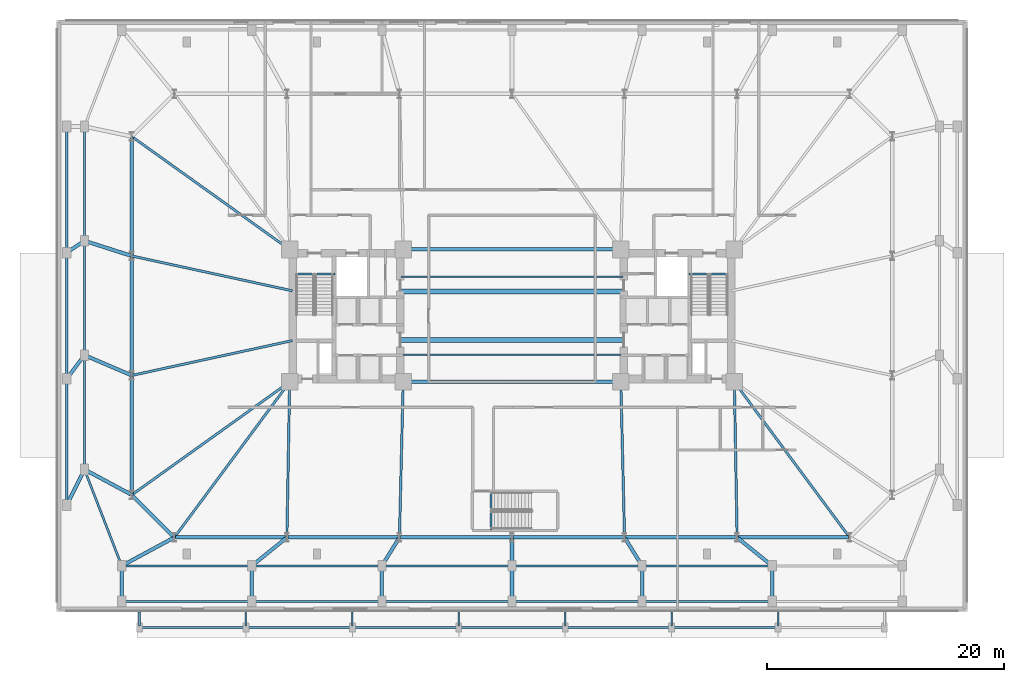
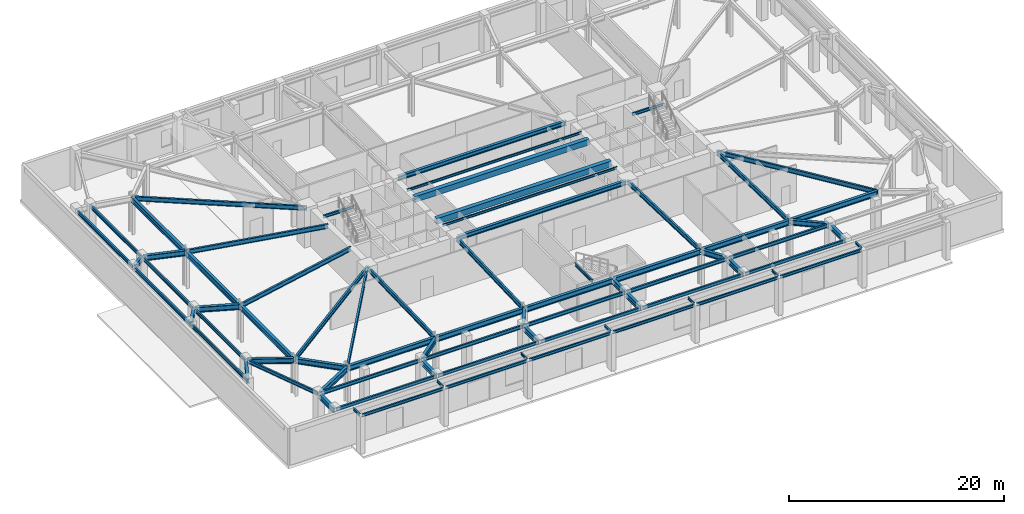
# One storey, part 5 of 18: 77 beams.
"""IFC4 building model written with IfcOpenShell, lengths in metres."""

from ifc_helpers import new_model, si_unit, direction, frame, origin, origin_2d, place, context, subcontext, project, spatial, rectangle, i_section, extrude, material, material_profile, profile_set, type_object, element, save


model = new_model("IFC4")

# Units and contexts
model_context = context("Model", 3, precision=1e-05, world=origin(), true_north=direction((0.0, 1.0)))
body_context = subcontext(model_context, "Body", "Model", "MODEL_VIEW")
ifc_project = project(units=[si_unit("LENGTHUNIT", "METRE"), si_unit("AREAUNIT", "SQUARE_METRE"), si_unit("VOLUMEUNIT", "CUBIC_METRE"), si_unit("PLANEANGLEUNIT", "RADIAN"), si_unit("MASSUNIT", "GRAM", prefix="KILO")], contexts=[model_context])

# Site, building, storey
site_placement = place(None, origin())
site = spatial("IfcSite", under=ifc_project, at=site_placement, CompositionType="ELEMENT")
building_placement = place(site_placement, origin())
building = spatial("IfcBuilding", under=site, at=building_placement, Name="Qobustan Lattice House", CompositionType="ELEMENT")
storey_placement = place(building_placement, origin())
storey = spatial("IfcBuildingStorey", under=building, at=storey_placement, Name="L00", CompositionType="ELEMENT", Elevation=0.0)

# Beams
ifc_material_1 = material(Name="Steel S355", Category="steel")
ifc_material_profile_1 = material_profile(ifc_material_1, i_section(OverallWidth=0.300048828125, OverallDepth=0.5, WebThickness=0.014404296875, FlangeThickness=0.028076171875, FilletRadius=0.027099609375, at=origin_2d()), Name="HEB500")
ifc_profile_set_1 = profile_set([ifc_material_profile_1], Name="Steel S355")
beam_type_1 = type_object("IfcBeamType", Name="BM-CG-HEB500", PredefinedType="USERDEFINED", material=ifc_profile_set_1)
for number, where, z_axis, x_axis, name in (
    (1, (-9.050048828125, -5.60009765625, 3.919921875), (1.0, 0.0, 0.0), (0.0, 1.0, 0.0), "L00 core spine girder CG-CS"),
    (2, (-9.050048828125, 5.60009765625, 3.919921875), (1.0, 0.0, 0.0), (0.0, 1.0, 0.0), "L00 core spine girder CG-CN"),
):
    element("IfcBeam", number, at=place(storey_placement, frame(where, z_axis=z_axis, x_axis=x_axis)), inside=storey, type_object=beam_type_1, Name=name, ObjectType="GIRDER", PredefinedType="USERDEFINED", context=body_context, shape_type="SweptSolid", body=[
        extrude(i_section(OverallWidth=0.300048828125, OverallDepth=0.5, WebThickness=0.014404296875, FlangeThickness=0.028076171875, FilletRadius=0.027099609375, at=origin_2d()), origin(), (0.0, 0.0, 1.0), 18.10009765625),
    ])
ifc_material_2 = material(Name="Steel S355", Category="steel")
ifc_material_profile_2 = material_profile(ifc_material_2, i_section(OverallWidth=0.199951171875, OverallDepth=0.5, WebThickness=0.01025390625, FlangeThickness=0.01611328125, FilletRadius=0.02099609375, at=origin_2d()), Name="IPE500")
ifc_profile_set_2 = profile_set([ifc_material_profile_2], Name="Steel S355")
beam_type_2 = type_object("IfcBeamType", Name="BM-FLG-IPE500", PredefinedType="USERDEFINED", material=ifc_profile_set_2)
beam_1_placement = place(storey_placement, frame((-28.53515625, -18.72998046875, 3.919921875), z_axis=(0.5955916815, 0.803287338956, 0.0), x_axis=(-0.803287338956, 0.5955916815, 0.0)))
element("IfcBeam", 3, at=beam_1_placement, inside=storey, type_object=beam_type_2, Name="L00 primary floor girder RAD-S1W", ObjectType="GIRDER", PredefinedType="USERDEFINED", context=body_context, shape_type="SweptSolid", body=[
    extrude(i_section(OverallWidth=0.199951171875, OverallDepth=0.5, WebThickness=0.01025390625, FlangeThickness=0.01611328125, FilletRadius=0.02099609375, at=origin_2d()), origin(), (0.0, 0.0, 1.0), 16.3203125),
])
beam_2_placement = place(storey_placement, frame((-19.032958984375, -18.72509765625, 3.919921875), z_axis=(0.017757831607, 0.999842317276, 0.0), x_axis=(-0.999842317276, 0.017757831607, 0.0)))
element("IfcBeam", 4, at=beam_2_placement, inside=storey, type_object=beam_type_2, Name="L00 primary floor girder RAD-S2", ObjectType="GIRDER", PredefinedType="USERDEFINED", context=body_context, shape_type="SweptSolid", body=[
    extrude(i_section(OverallWidth=0.199951171875, OverallDepth=0.5, WebThickness=0.01025390625, FlangeThickness=0.01611328125, FilletRadius=0.02099609375, at=origin_2d()), origin(), (0.0, 0.0, 1.0), 13.10205078125),
])
for number, where, z_axis, x_axis, name in (
    (5, (-9.51611328125, -18.72509765625, 3.919921875), (0.024071445657, 0.999710240772, 0.0), (-0.999710240772, 0.024071445657, 0.0), "L00 primary floor girder RAD-S3"),
    (6, (9.51611328125, -18.72509765625, 3.919921875), (-0.024071445657, 0.999710240772, 0.0), (-0.999710240772, -0.024071445657, 0.0), "L00 primary floor girder RAD-S5"),
):
    element("IfcBeam", number, at=place(storey_placement, frame(where, z_axis=z_axis, x_axis=x_axis)), inside=storey, type_object=beam_type_2, Name=name, ObjectType="GIRDER", PredefinedType="USERDEFINED", context=body_context, shape_type="SweptSolid", body=[
        extrude(i_section(OverallWidth=0.199951171875, OverallDepth=0.5, WebThickness=0.01025390625, FlangeThickness=0.01611328125, FilletRadius=0.02099609375, at=origin_2d()), origin(), (0.0, 0.0, 1.0), 13.10400390625),
    ])
beam_3_placement = place(storey_placement, frame((19.032958984375, -18.72509765625, 3.919921875), z_axis=(-0.017757831607, 0.999842317276, 0.0), x_axis=(-0.999842317276, -0.017757831607, 0.0)))
element("IfcBeam", 7, at=beam_3_placement, inside=storey, type_object=beam_type_2, Name="L00 primary floor girder RAD-S6", ObjectType="GIRDER", PredefinedType="USERDEFINED", context=body_context, shape_type="SweptSolid", body=[
    extrude(i_section(OverallWidth=0.199951171875, OverallDepth=0.5, WebThickness=0.01025390625, FlangeThickness=0.01611328125, FilletRadius=0.02099609375, at=origin_2d()), origin(), (0.0, 0.0, 1.0), 13.10205078125),
])
beam_4_placement = place(storey_placement, frame((28.53515625, -18.72998046875, 3.919921875), z_axis=(-0.5955916815, 0.803287338956, 0.0), x_axis=(-0.803287338956, -0.5955916815, 0.0)))
element("IfcBeam", 8, at=beam_4_placement, inside=storey, type_object=beam_type_2, Name="L00 primary floor girder RAD-S7E", ObjectType="GIRDER", PredefinedType="USERDEFINED", context=body_context, shape_type="SweptSolid", body=[
    extrude(i_section(OverallWidth=0.199951171875, OverallDepth=0.5, WebThickness=0.01025390625, FlangeThickness=0.01611328125, FilletRadius=0.02099609375, at=origin_2d()), origin(), (0.0, 0.0, 1.0), 16.3203125),
])
beam_5_placement = place(storey_placement, frame((-32.129638671875, 15.135498046875, 3.919921875), z_axis=(0.813318954893, -0.581818079481, 0.0), x_axis=(0.581818079481, 0.813318954893, 0.0)))
element("IfcBeam", 9, at=beam_5_placement, inside=storey, type_object=beam_type_2, Name="L00 primary floor girder RAD-W1", ObjectType="GIRDER", PredefinedType="USERDEFINED", context=body_context, shape_type="SweptSolid", body=[
    extrude(i_section(OverallWidth=0.199951171875, OverallDepth=0.5, WebThickness=0.01025390625, FlangeThickness=0.01611328125, FilletRadius=0.02099609375, at=origin_2d()), origin(), (0.0, 0.0, 1.0), 16.3642578125),
])
for number, where, z_axis, x_axis, name in (
    (10, (-32.12548828125, 5.044677734375, 3.919921875), (0.97727240275, -0.211987383643, 0.0), (0.211987383643, 0.97727240275, 0.0), "L00 primary floor girder RAD-W2"),
    (11, (-32.12548828125, -5.044677734375, 3.919921875), (0.97727240275, 0.211987383643, 0.0), (-0.211987383643, 0.97727240275, 0.0), "L00 primary floor girder RAD-W3"),
):
    element("IfcBeam", number, at=place(storey_placement, frame(where, z_axis=z_axis, x_axis=x_axis)), inside=storey, type_object=beam_type_2, Name=name, ObjectType="GIRDER", PredefinedType="USERDEFINED", context=body_context, shape_type="SweptSolid", body=[
        extrude(i_section(OverallWidth=0.199951171875, OverallDepth=0.5, WebThickness=0.01025390625, FlangeThickness=0.01611328125, FilletRadius=0.02099609375, at=origin_2d()), origin(), (0.0, 0.0, 1.0), 13.8662109375),
    ])
beam_6_placement = place(storey_placement, frame((-32.129638671875, -15.135498046875, 3.919921875), z_axis=(0.813318954893, 0.581818079481, 0.0), x_axis=(-0.581818079481, 0.813318954893, 0.0)))
element("IfcBeam", 12, at=beam_6_placement, inside=storey, type_object=beam_type_2, Name="L00 primary floor girder RAD-W4", ObjectType="GIRDER", PredefinedType="USERDEFINED", context=body_context, shape_type="SweptSolid", body=[
    extrude(i_section(OverallWidth=0.199951171875, OverallDepth=0.5, WebThickness=0.01025390625, FlangeThickness=0.01611328125, FilletRadius=0.02099609375, at=origin_2d()), origin(), (0.0, 0.0, 1.0), 16.3642578125),
])
ifc_material_3 = material(Name="Steel S355", Category="steel")
ifc_material_profile_3 = material_profile(ifc_material_3, i_section(OverallWidth=0.135009765625, OverallDepth=0.27001953125, WebThickness=0.006591796875, FlangeThickness=0.01025390625, FilletRadius=0.014892578125, at=origin_2d()), Name="IPE270")
ifc_profile_set_3 = profile_set([ifc_material_profile_3], Name="Steel S355")
beam_type_3 = type_object("IfcBeamType", Name="BM-JST-IPE270", PredefinedType="JOIST", material=ifc_profile_set_3)
for number, where, z_axis, x_axis, name in (
    (13, (-9.39990234375, -3.300048828125, 4.034912109375), (1.0, 0.0, 0.0), (0.0, 1.0, 0.0), "L00 central span floor joist 1"),
    (14, (-9.39990234375, 3.300048828125, 4.034912109375), (1.0, 0.0, 0.0), (0.0, 1.0, 0.0), "L00 central span floor joist 2"),
):
    element("IfcBeam", number, at=place(storey_placement, frame(where, z_axis=z_axis, x_axis=x_axis)), inside=storey, type_object=beam_type_3, Name=name, PredefinedType="JOIST", context=body_context, shape_type="SweptSolid", body=[
        extrude(i_section(OverallWidth=0.135009765625, OverallDepth=0.27001953125, WebThickness=0.006591796875, FlangeThickness=0.01025390625, FilletRadius=0.014892578125, at=origin_2d()), origin(), (0.0, 0.0, 1.0), 18.7998046875),
    ])
for number, where, z_axis, x_axis, name in (
    (15, (-31.5, -26.25, 4.125), (0.0, 1.0, 0.0), (-1.0, 0.0, 0.0), "L00 colonnade transverse beam 1"),
    (16, (-22.5, -26.25, 4.125), (0.0, 1.0, 0.0), (-1.0, 0.0, 0.0), "L00 colonnade transverse beam 2"),
    (17, (-13.5, -26.25, 4.125), (0.0, 1.0, 0.0), (-1.0, 0.0, 0.0), "L00 colonnade transverse beam 3"),
    (18, (-4.5, -26.25, 4.125), (0.0, 1.0, 0.0), (-1.0, 0.0, 0.0), "L00 colonnade transverse beam 4"),
    (19, (4.5, -26.25, 4.125), (0.0, 1.0, 0.0), (-1.0, 0.0, 0.0), "L00 colonnade transverse beam 5"),
    (20, (13.5, -26.25, 4.125), (0.0, 1.0, 0.0), (-1.0, 0.0, 0.0), "L00 colonnade transverse beam 6"),
    (21, (22.5, -26.25, 4.125), (0.0, 1.0, 0.0), (-1.0, 0.0, 0.0), "L00 colonnade transverse beam 7"),
):
    element("IfcBeam", number, at=place(storey_placement, frame(where, z_axis=z_axis, x_axis=x_axis)), inside=storey, type_object=beam_type_3, Name=name, PredefinedType="JOIST", context=body_context, shape_type="SweptSolid", body=[
        extrude(i_section(OverallWidth=0.135009765625, OverallDepth=0.27001953125, WebThickness=0.006591796875, FlangeThickness=0.01025390625, FilletRadius=0.014892578125, at=origin_2d()), origin(), (0.0, 0.0, 1.0), 1.2099609375),
    ])
ifc_material_4 = material(Name="Concrete C50/60", Category="concrete")
ifc_material_profile_4 = material_profile(ifc_material_4, rectangle(XDim=0.449951171875, YDim=0.64990234375, at=origin_2d()), Name="RC450x650")
ifc_profile_set_4 = profile_set([ifc_material_profile_4], Name="Concrete C50/60")
beam_type_4 = type_object("IfcBeamType", Name="BM-LINTEL-450x650", PredefinedType="LINTEL", material=ifc_profile_set_4)
for number, where, z_axis, x_axis, name in (
    (22, (-9.39990234375, -2.050048828125, 3.844970703125), (1.0, 0.0, 0.0), (0.0, 1.0, 0.0), "L00 reinforced concrete portal lintel LN-W1"),
    (23, (-9.39990234375, 2.050048828125, 3.844970703125), (1.0, 0.0, 0.0), (0.0, 1.0, 0.0), "L00 reinforced concrete portal lintel LN-E1"),
):
    element("IfcBeam", number, at=place(storey_placement, frame(where, z_axis=z_axis, x_axis=x_axis)), inside=storey, type_object=beam_type_4, Name=name, PredefinedType="LINTEL", context=body_context, shape_type="SweptSolid", body=[
        extrude(rectangle(XDim=0.449951171875, YDim=0.64990234375, at=origin_2d()), origin(), (0.0, 0.0, 1.0), 18.7998046875),
    ])
ifc_material_5 = material(Name="Steel S355", Category="steel")
ifc_material_profile_5 = material_profile(ifc_material_5, i_section(OverallWidth=0.300048828125, OverallDepth=0.60009765625, WebThickness=0.015380859375, FlangeThickness=0.030029296875, FilletRadius=0.027099609375, at=origin_2d()), Name="HEB600")
ifc_profile_set_5 = profile_set([ifc_material_profile_5], Name="Steel S355")
beam_type_5 = type_object("IfcBeamType", Name="BM-POD-HEB600", PredefinedType="USERDEFINED", material=ifc_profile_set_5)
for number, where, z_axis, x_axis, name in (
    (24, (-33.0, -24.030029296875, 3.8701171875), (0.0, 1.0, 0.0), (-1.0, 0.0, 0.0), "L00 south terrace tie girder 1"),
    (25, (-22.0, -24.030029296875, 3.8701171875), (0.0, 1.0, 0.0), (-1.0, 0.0, 0.0), "L00 south terrace tie girder 2"),
    (26, (-11.0, -24.030029296875, 3.8701171875), (0.0, 1.0, 0.0), (-1.0, 0.0, 0.0), "L00 south terrace tie girder 3"),
    (27, (0.0, -24.030029296875, 3.8701171875), (0.0, 1.0, 0.0), (-1.0, 0.0, 0.0), "L00 south terrace tie girder 4"),
    (28, (11.0, -24.030029296875, 3.8701171875), (0.0, 1.0, 0.0), (-1.0, 0.0, 0.0), "L00 south terrace tie girder 5"),
    (29, (22.0, -24.030029296875, 3.8701171875), (0.0, 1.0, 0.0), (-1.0, 0.0, 0.0), "L00 south terrace tie girder 6"),
):
    element("IfcBeam", number, at=place(storey_placement, frame(where, z_axis=z_axis, x_axis=x_axis)), inside=storey, type_object=beam_type_5, Name=name, ObjectType="GIRDER", PredefinedType="USERDEFINED", context=body_context, shape_type="SweptSolid", body=[
        extrude(i_section(OverallWidth=0.300048828125, OverallDepth=0.60009765625, WebThickness=0.015380859375, FlangeThickness=0.030029296875, FilletRadius=0.027099609375, at=origin_2d()), origin(), (0.0, 0.0, 1.0), 2.760009765625),
    ])
beam_7_placement = place(storey_placement, frame((-37.59619140625, -15.892578125, 3.8701171875), z_axis=(0.4472135955, 0.894427191, 0.0), x_axis=(-0.894427191, 0.4472135955, 0.0)))
element("IfcBeam", 30, at=beam_7_placement, inside=storey, type_object=beam_type_5, Name="L00 setback tie girder PWL1", ObjectType="GIRDER", PredefinedType="USERDEFINED", context=body_context, shape_type="SweptSolid", body=[
    extrude(i_section(OverallWidth=0.300048828125, OverallDepth=0.60009765625, WebThickness=0.015380859375, FlangeThickness=0.030029296875, FilletRadius=0.027099609375, at=origin_2d()), origin(), (0.0, 0.0, 1.0), 3.114013671875),
])
beam_8_placement = place(storey_placement, frame((-37.577880859375, -5.2373046875, 3.8701171875), z_axis=(0.599965431752, 0.800025925019, 0.0), x_axis=(-0.800025925019, 0.599965431752, 0.0)))
element("IfcBeam", 31, at=beam_8_placement, inside=storey, type_object=beam_type_5, Name="L00 setback tie girder PWL2", ObjectType="GIRDER", PredefinedType="USERDEFINED", context=body_context, shape_type="SweptSolid", body=[
    extrude(i_section(OverallWidth=0.300048828125, OverallDepth=0.60009765625, WebThickness=0.015380859375, FlangeThickness=0.030029296875, FilletRadius=0.027099609375, at=origin_2d()), origin(), (0.0, 0.0, 1.0), 2.260009765625),
])
beam_9_placement = place(storey_placement, frame((-37.55029296875, 5.39990234375, 3.8701171875), z_axis=(0.832074324237, 0.554664149684, 0.0), x_axis=(-0.554664149684, 0.832074324237, 0.0)))
element("IfcBeam", 32, at=beam_9_placement, inside=storey, type_object=beam_type_5, Name="L00 setback tie girder PWL3", ObjectType="GIRDER", PredefinedType="USERDEFINED", context=body_context, shape_type="SweptSolid", body=[
    extrude(i_section(OverallWidth=0.300048828125, OverallDepth=0.60009765625, WebThickness=0.015380859375, FlangeThickness=0.030029296875, FilletRadius=0.027099609375, at=origin_2d()), origin(), (0.0, 0.0, 1.0), 1.56298828125),
])
for number, where, z_axis, x_axis, name in (
    (33, (-28.449951171875, -18.75, 3.8701171875), (1.0, 0.0, 0.0), (0.0, 1.0, 0.0), "L00 tower base ring girder S1-S2"),
    (34, (-18.933349609375, -18.75, 3.8701171875), (1.0, 0.0, 0.0), (0.0, 1.0, 0.0), "L00 tower base ring girder S2-S3"),
    (35, (-9.416748046875, -18.75, 3.8701171875), (1.0, 0.0, 0.0), (0.0, 1.0, 0.0), "L00 tower base ring girder S3-S4"),
    (36, (0.10009765625, -18.75, 3.8701171875), (1.0, 0.0, 0.0), (0.0, 1.0, 0.0), "L00 tower base ring girder S4-S5"),
    (37, (9.61669921875, -18.75, 3.8701171875), (1.0, 0.0, 0.0), (0.0, 1.0, 0.0), "L00 tower base ring girder S5-S6"),
    (38, (19.13330078125, -18.75, 3.8701171875), (1.0, 0.0, 0.0), (0.0, 1.0, 0.0), "L00 tower base ring girder S6-S7"),
):
    element("IfcBeam", number, at=place(storey_placement, frame(where, z_axis=z_axis, x_axis=x_axis)), inside=storey, type_object=beam_type_5, Name=name, ObjectType="GIRDER", PredefinedType="USERDEFINED", context=body_context, shape_type="SweptSolid", body=[
        extrude(i_section(OverallWidth=0.300048828125, OverallDepth=0.60009765625, WebThickness=0.015380859375, FlangeThickness=0.030029296875, FilletRadius=0.027099609375, at=origin_2d()), origin(), (0.0, 0.0, 1.0), 9.316650390625),
    ])
beam_10_placement = place(storey_placement, frame((-32.14990234375, 15.050048828125, 3.8701171875), z_axis=(0.0, -1.0, 0.0), x_axis=(1.0, 0.0, 0.0)))
element("IfcBeam", 39, at=beam_10_placement, inside=storey, type_object=beam_type_5, Name="L00 tower base ring girder W1-W2", ObjectType="GIRDER", PredefinedType="USERDEFINED", context=body_context, shape_type="SweptSolid", body=[
    extrude(i_section(OverallWidth=0.300048828125, OverallDepth=0.60009765625, WebThickness=0.015380859375, FlangeThickness=0.030029296875, FilletRadius=0.027099609375, at=origin_2d()), origin(), (0.0, 0.0, 1.0), 9.900146484375),
])
beam_11_placement = place(storey_placement, frame((-32.14990234375, 4.949951171875, 3.8701171875), z_axis=(0.0, -1.0, 0.0), x_axis=(1.0, 0.0, 0.0)))
element("IfcBeam", 40, at=beam_11_placement, inside=storey, type_object=beam_type_5, Name="L00 tower base ring girder W2-W3", ObjectType="GIRDER", PredefinedType="USERDEFINED", context=body_context, shape_type="SweptSolid", body=[
    extrude(i_section(OverallWidth=0.300048828125, OverallDepth=0.60009765625, WebThickness=0.015380859375, FlangeThickness=0.030029296875, FilletRadius=0.027099609375, at=origin_2d()), origin(), (0.0, 0.0, 1.0), 9.89990234375),
])
beam_12_placement = place(storey_placement, frame((-32.14990234375, -5.14990234375, 3.8701171875), z_axis=(0.0, -1.0, 0.0), x_axis=(1.0, 0.0, 0.0)))
element("IfcBeam", 41, at=beam_12_placement, inside=storey, type_object=beam_type_5, Name="L00 tower base ring girder W3-W4", ObjectType="GIRDER", PredefinedType="USERDEFINED", context=body_context, shape_type="SweptSolid", body=[
    extrude(i_section(OverallWidth=0.300048828125, OverallDepth=0.60009765625, WebThickness=0.015380859375, FlangeThickness=0.030029296875, FilletRadius=0.027099609375, at=origin_2d()), origin(), (0.0, 0.0, 1.0), 9.900146484375),
])
beam_13_placement = place(storey_placement, frame((-32.079345703125, -15.220703125, 3.8701171875), z_axis=(0.70713173775, -0.707081823743, 0.0), x_axis=(0.707081823743, 0.70713173775, 0.0)))
element("IfcBeam", 42, at=beam_13_placement, inside=storey, type_object=beam_type_5, Name="L00 tower base ring girder W4-S1", ObjectType="GIRDER", PredefinedType="USERDEFINED", context=body_context, shape_type="SweptSolid", body=[
    extrude(i_section(OverallWidth=0.300048828125, OverallDepth=0.60009765625, WebThickness=0.015380859375, FlangeThickness=0.030029296875, FilletRadius=0.027099609375, at=origin_2d()), origin(), (0.0, 0.0, 1.0), 4.89111328125),
])
beam_14_placement = place(storey_placement, frame((-32.894287109375, -21.093017578125, 3.8701171875), z_axis=(0.88016615165, 0.474665719732, 0.0), x_axis=(-0.474665719732, 0.88016615165, 0.0)))
element("IfcBeam", 43, at=beam_14_placement, inside=storey, type_object=beam_type_5, Name="L00 podium radial girder PS1", ObjectType="GIRDER", PredefinedType="USERDEFINED", context=body_context, shape_type="SweptSolid", body=[
    extrude(i_section(OverallWidth=0.300048828125, OverallDepth=0.60009765625, WebThickness=0.015380859375, FlangeThickness=0.030029296875, FilletRadius=0.027099609375, at=origin_2d()), origin(), (0.0, 0.0, 1.0), 4.8359375),
])
beam_15_placement = place(storey_placement, frame((-21.90673828125, -21.074462890625, 3.8701171875), z_axis=(0.777472502595, 0.62891693228, 0.0), x_axis=(-0.62891693228, 0.777472502595, 0.0)))
element("IfcBeam", 44, at=beam_15_placement, inside=storey, type_object=beam_type_5, Name="L00 podium radial girder PS2", ObjectType="GIRDER", PredefinedType="USERDEFINED", context=body_context, shape_type="SweptSolid", body=[
    extrude(i_section(OverallWidth=0.300048828125, OverallDepth=0.60009765625, WebThickness=0.015380859375, FlangeThickness=0.030029296875, FilletRadius=0.027099609375, at=origin_2d()), origin(), (0.0, 0.0, 1.0), 3.595703125),
])
beam_16_placement = place(storey_placement, frame((-10.93701171875, -21.0478515625, 3.8701171875), z_axis=(0.525782588011, 0.850618992349, 0.0), x_axis=(-0.850618992349, 0.525782588011, 0.0)))
element("IfcBeam", 45, at=beam_16_placement, inside=storey, type_object=beam_type_5, Name="L00 podium radial girder PS3", ObjectType="GIRDER", PredefinedType="USERDEFINED", context=body_context, shape_type="SweptSolid", body=[
    extrude(i_section(OverallWidth=0.300048828125, OverallDepth=0.60009765625, WebThickness=0.015380859375, FlangeThickness=0.030029296875, FilletRadius=0.027099609375, at=origin_2d()), origin(), (0.0, 0.0, 1.0), 2.601318359375),
])
beam_17_placement = place(storey_placement, frame((0.0, -21.030029296875, 3.8701171875), z_axis=(0.0, 1.0, 0.0), x_axis=(-1.0, 0.0, 0.0)))
element("IfcBeam", 46, at=beam_17_placement, inside=storey, type_object=beam_type_5, Name="L00 podium radial girder PS4", ObjectType="GIRDER", PredefinedType="USERDEFINED", context=body_context, shape_type="SweptSolid", body=[
    extrude(i_section(OverallWidth=0.300048828125, OverallDepth=0.60009765625, WebThickness=0.015380859375, FlangeThickness=0.030029296875, FilletRadius=0.027099609375, at=origin_2d()), origin(), (0.0, 0.0, 1.0), 2.179931640625),
])
beam_18_placement = place(storey_placement, frame((10.93701171875, -21.0478515625, 3.8701171875), z_axis=(-0.525782588011, 0.850618992349, 0.0), x_axis=(-0.850618992349, -0.525782588011, 0.0)))
element("IfcBeam", 47, at=beam_18_placement, inside=storey, type_object=beam_type_5, Name="L00 podium radial girder PS5", ObjectType="GIRDER", PredefinedType="USERDEFINED", context=body_context, shape_type="SweptSolid", body=[
    extrude(i_section(OverallWidth=0.300048828125, OverallDepth=0.60009765625, WebThickness=0.015380859375, FlangeThickness=0.030029296875, FilletRadius=0.027099609375, at=origin_2d()), origin(), (0.0, 0.0, 1.0), 2.601318359375),
])
beam_19_placement = place(storey_placement, frame((21.90673828125, -21.074462890625, 3.8701171875), z_axis=(-0.777472502595, 0.62891693228, 0.0), x_axis=(-0.62891693228, -0.777472502595, 0.0)))
element("IfcBeam", 48, at=beam_19_placement, inside=storey, type_object=beam_type_5, Name="L00 podium radial girder PS6", ObjectType="GIRDER", PredefinedType="USERDEFINED", context=body_context, shape_type="SweptSolid", body=[
    extrude(i_section(OverallWidth=0.300048828125, OverallDepth=0.60009765625, WebThickness=0.015380859375, FlangeThickness=0.030029296875, FilletRadius=0.027099609375, at=origin_2d()), origin(), (0.0, 0.0, 1.0), 3.595703125),
])
beam_20_placement = place(storey_placement, frame((-36.044189453125, -13.056884765625, 3.8701171875), z_axis=(0.880815561441, -0.473459551307, 0.0), x_axis=(0.473459551307, 0.880815561441, 0.0)))
element("IfcBeam", 49, at=beam_20_placement, inside=storey, type_object=beam_type_5, Name="L00 podium radial girder PW1", ObjectType="GIRDER", PredefinedType="USERDEFINED", context=body_context, shape_type="SweptSolid", body=[
    extrude(i_section(OverallWidth=0.300048828125, OverallDepth=0.60009765625, WebThickness=0.015380859375, FlangeThickness=0.030029296875, FilletRadius=0.027099609375, at=origin_2d()), origin(), (0.0, 0.0, 1.0), 4.3212890625),
])
beam_21_placement = place(storey_placement, frame((-36.039794921875, -3.380615234375, 3.8701171875), z_axis=(0.918949362679, -0.394375542893, 0.0), x_axis=(0.394375542893, 0.918949362679, 0.0)))
element("IfcBeam", 50, at=beam_21_placement, inside=storey, type_object=beam_type_5, Name="L00 podium radial girder PW2", ObjectType="GIRDER", PredefinedType="USERDEFINED", context=body_context, shape_type="SweptSolid", body=[
    extrude(i_section(OverallWidth=0.300048828125, OverallDepth=0.60009765625, WebThickness=0.015380859375, FlangeThickness=0.030029296875, FilletRadius=0.027099609375, at=origin_2d()), origin(), (0.0, 0.0, 1.0), 4.1328125),
])
beam_22_placement = place(storey_placement, frame((-36.03564453125, 6.296630859375, 3.8701171875), z_axis=(0.952198151545, -0.305481063561, 0.0), x_axis=(0.305481063561, 0.952198151545, 0.0)))
element("IfcBeam", 51, at=beam_22_placement, inside=storey, type_object=beam_type_5, Name="L00 podium radial girder PW3", ObjectType="GIRDER", PredefinedType="USERDEFINED", context=body_context, shape_type="SweptSolid", body=[
    extrude(i_section(OverallWidth=0.300048828125, OverallDepth=0.60009765625, WebThickness=0.015380859375, FlangeThickness=0.030029296875, FilletRadius=0.027099609375, at=origin_2d()), origin(), (0.0, 0.0, 1.0), 3.980712890625),
])
ifc_material_6 = material(Name="Steel S355", Category="steel")
ifc_material_profile_6 = material_profile(ifc_material_6, i_section(OverallWidth=0.159912109375, OverallDepth=0.330078125, WebThickness=0.007568359375, FlangeThickness=0.011474609375, FilletRadius=0.01806640625, at=origin_2d()), Name="IPE330")
ifc_profile_set_6 = profile_set([ifc_material_profile_6], Name="Steel S355")
beam_type_6 = type_object("IfcBeamType", Name="BM-SPD-IPE330", PredefinedType="SPANDREL", material=ifc_profile_set_6)
for number, where, z_axis, x_axis, name in (
    (52, (-18.300048828125, 3.52001953125, 4.0048828125), (1.0, 0.0, 0.0), (0.0, 1.0, 0.0), "L00 west stair landing trimmer beam"),
    (53, (14.949951171875, 3.52001953125, 4.0048828125), (1.0, 0.0, 0.0), (0.0, 1.0, 0.0), "L00 east stair landing trimmer beam"),
):
    element("IfcBeam", number, at=place(storey_placement, frame(where, z_axis=z_axis, x_axis=x_axis)), inside=storey, type_object=beam_type_6, Name=name, PredefinedType="SPANDREL", context=body_context, shape_type="SweptSolid", body=[
        extrude(i_section(OverallWidth=0.159912109375, OverallDepth=0.330078125, WebThickness=0.007568359375, FlangeThickness=0.011474609375, FilletRadius=0.01806640625, at=origin_2d()), origin(), (0.0, 0.0, 1.0), 3.35009765625),
    ])
beam_23_placement = place(storey_placement, frame((-1.780029296875, -18.139892578125, 4.0048828125), z_axis=(0.0, 1.0, 0.0), x_axis=(-1.0, 0.0, 0.0)))
element("IfcBeam", 54, at=beam_23_placement, inside=storey, type_object=beam_type_6, Name="L00 podium stair landing trimmer beam", PredefinedType="SPANDREL", context=body_context, shape_type="SweptSolid", body=[
    extrude(i_section(OverallWidth=0.159912109375, OverallDepth=0.330078125, WebThickness=0.007568359375, FlangeThickness=0.011474609375, FilletRadius=0.01806640625, at=origin_2d()), origin(), (0.0, 0.0, 1.0), 3.27978515625),
])
for number, where, z_axis, x_axis, name in (
    (55, (-31.3798828125, -26.35009765625, 4.094970703125), (1.0, 0.0, 0.0), (0.0, 1.0, 0.0), "L00 colonnade edge beam 1"),
    (56, (-22.3798828125, -26.35009765625, 4.094970703125), (1.0, 0.0, 0.0), (0.0, 1.0, 0.0), "L00 colonnade edge beam 2"),
    (57, (-13.3798828125, -26.35009765625, 4.094970703125), (1.0, 0.0, 0.0), (0.0, 1.0, 0.0), "L00 colonnade edge beam 3"),
    (58, (-4.3798828125, -26.35009765625, 4.094970703125), (1.0, 0.0, 0.0), (0.0, 1.0, 0.0), "L00 colonnade edge beam 4"),
    (59, (4.6201171875, -26.35009765625, 4.094970703125), (1.0, 0.0, 0.0), (0.0, 1.0, 0.0), "L00 colonnade edge beam 5"),
    (60, (13.6201171875, -26.35009765625, 4.094970703125), (1.0, 0.0, 0.0), (0.0, 1.0, 0.0), "L00 colonnade edge beam 6"),
):
    element("IfcBeam", number, at=place(storey_placement, frame(where, z_axis=z_axis, x_axis=x_axis)), inside=storey, type_object=beam_type_6, Name=name, PredefinedType="SPANDREL", context=body_context, shape_type="SweptSolid", body=[
        extrude(i_section(OverallWidth=0.159912109375, OverallDepth=0.330078125, WebThickness=0.007568359375, FlangeThickness=0.011474609375, FilletRadius=0.01806640625, at=origin_2d()), origin(), (0.0, 0.0, 1.0), 8.759765625),
    ])
ifc_material_7 = material(Name="Steel S355", Category="steel")
ifc_material_profile_7 = material_profile(ifc_material_7, i_section(OverallWidth=0.179931640625, OverallDepth=0.39990234375, WebThickness=0.008544921875, FlangeThickness=0.013427734375, FilletRadius=0.02099609375, at=origin_2d()), Name="IPE400")
ifc_profile_set_7 = profile_set([ifc_material_profile_7], Name="Steel S355")
beam_type_7 = type_object("IfcBeamType", Name="BM-SPD-IPE400", PredefinedType="SPANDREL", material=ifc_profile_set_7)
for number, where, z_axis, x_axis, name in (
    (61, (-32.8798828125, -21.14990234375, 3.969970703125), (1.0, 0.0, 0.0), (0.0, 1.0, 0.0), "L00 podium spandrel PS1-PS2"),
    (62, (-21.8798828125, -21.14990234375, 3.969970703125), (1.0, 0.0, 0.0), (0.0, 1.0, 0.0), "L00 podium spandrel PS2-PS3"),
    (63, (-10.8798828125, -21.14990234375, 3.969970703125), (1.0, 0.0, 0.0), (0.0, 1.0, 0.0), "L00 podium spandrel PS3-PS4"),
    (64, (0.1201171875, -21.14990234375, 3.969970703125), (1.0, 0.0, 0.0), (0.0, 1.0, 0.0), "L00 podium spandrel PS4-PS5"),
    (65, (11.1201171875, -21.14990234375, 3.969970703125), (1.0, 0.0, 0.0), (0.0, 1.0, 0.0), "L00 podium spandrel PS5-PS6"),
):
    element("IfcBeam", number, at=place(storey_placement, frame(where, z_axis=z_axis, x_axis=x_axis)), inside=storey, type_object=beam_type_7, Name=name, PredefinedType="SPANDREL", context=body_context, shape_type="SweptSolid", body=[
        extrude(i_section(OverallWidth=0.179931640625, OverallDepth=0.39990234375, WebThickness=0.008544921875, FlangeThickness=0.013427734375, FilletRadius=0.02099609375, at=origin_2d()), origin(), (0.0, 0.0, 1.0), 10.759765625),
    ])
beam_24_placement = place(storey_placement, frame((-36.14990234375, -12.8798828125, 3.969970703125), z_axis=(0.0, 1.0, 0.0), x_axis=(-1.0, 0.0, 0.0)))
element("IfcBeam", 66, at=beam_24_placement, inside=storey, type_object=beam_type_7, Name="L00 podium spandrel PW1-PW2", PredefinedType="SPANDREL", context=body_context, shape_type="SweptSolid", body=[
    extrude(i_section(OverallWidth=0.179931640625, OverallDepth=0.39990234375, WebThickness=0.008544921875, FlangeThickness=0.013427734375, FilletRadius=0.02099609375, at=origin_2d()), origin(), (0.0, 0.0, 1.0), 9.426513671875),
])
for number, where, z_axis, x_axis, name in (
    (67, (-36.14990234375, -3.21337890625, 3.969970703125), (0.0, 1.0, 0.0), (-1.0, 0.0, 0.0), "L00 podium spandrel PW2-PW3"),
    (68, (-36.14990234375, 6.453369140625, 3.969970703125), (0.0, 1.0, 0.0), (-1.0, 0.0, 0.0), "L00 podium spandrel PW3-PW4"),
):
    element("IfcBeam", number, at=place(storey_placement, frame(where, z_axis=z_axis, x_axis=x_axis)), inside=storey, type_object=beam_type_7, Name=name, PredefinedType="SPANDREL", context=body_context, shape_type="SweptSolid", body=[
        extrude(i_section(OverallWidth=0.179931640625, OverallDepth=0.39990234375, WebThickness=0.008544921875, FlangeThickness=0.013427734375, FilletRadius=0.02099609375, at=origin_2d()), origin(), (0.0, 0.0, 1.0), 9.4267578125),
    ])
beam_25_placement = place(storey_placement, frame((-33.043212890625, -21.0380859375, 3.969970703125), z_axis=(-0.360507225068, 0.93275642087, 0.0), x_axis=(-0.93275642087, -0.360507225068, 0.0)))
element("IfcBeam", 69, at=beam_25_placement, inside=storey, type_object=beam_type_7, Name="L00 podium corner tie PS1-PW1", PredefinedType="SPANDREL", context=body_context, shape_type="SweptSolid", body=[
    extrude(i_section(OverallWidth=0.179931640625, OverallDepth=0.39990234375, WebThickness=0.008544921875, FlangeThickness=0.013427734375, FilletRadius=0.02099609375, at=origin_2d()), origin(), (0.0, 0.0, 1.0), 8.497802734375),
])
for number, where, z_axis, x_axis, name in (
    (70, (-32.8798828125, -24.14990234375, 3.969970703125), (1.0, 0.0, 0.0), (0.0, 1.0, 0.0), "L00 lower podium spandrel PSL1-PSL2"),
    (71, (-21.8798828125, -24.14990234375, 3.969970703125), (1.0, 0.0, 0.0), (0.0, 1.0, 0.0), "L00 lower podium spandrel PSL2-PSL3"),
    (72, (-10.8798828125, -24.14990234375, 3.969970703125), (1.0, 0.0, 0.0), (0.0, 1.0, 0.0), "L00 lower podium spandrel PSL3-PSL4"),
    (73, (0.1201171875, -24.14990234375, 3.969970703125), (1.0, 0.0, 0.0), (0.0, 1.0, 0.0), "L00 lower podium spandrel PSL4-PSL5"),
    (74, (11.1201171875, -24.14990234375, 3.969970703125), (1.0, 0.0, 0.0), (0.0, 1.0, 0.0), "L00 lower podium spandrel PSL5-PSL6"),
):
    element("IfcBeam", number, at=place(storey_placement, frame(where, z_axis=z_axis, x_axis=x_axis)), inside=storey, type_object=beam_type_7, Name=name, PredefinedType="SPANDREL", context=body_context, shape_type="SweptSolid", body=[
        extrude(i_section(OverallWidth=0.179931640625, OverallDepth=0.39990234375, WebThickness=0.008544921875, FlangeThickness=0.013427734375, FilletRadius=0.02099609375, at=origin_2d()), origin(), (0.0, 0.0, 1.0), 10.759765625),
    ])
beam_26_placement = place(storey_placement, frame((-37.64990234375, -15.8798828125, 3.969970703125), z_axis=(0.0, 1.0, 0.0), x_axis=(-1.0, 0.0, 0.0)))
element("IfcBeam", 75, at=beam_26_placement, inside=storey, type_object=beam_type_7, Name="L00 lower podium spandrel PWL1-PWL2", PredefinedType="SPANDREL", context=body_context, shape_type="SweptSolid", body=[
    extrude(i_section(OverallWidth=0.179931640625, OverallDepth=0.39990234375, WebThickness=0.008544921875, FlangeThickness=0.013427734375, FilletRadius=0.02099609375, at=origin_2d()), origin(), (0.0, 0.0, 1.0), 10.426513671875),
])
for number, where, z_axis, x_axis, name in (
    (76, (-37.64990234375, -5.21337890625, 3.969970703125), (0.0, 1.0, 0.0), (-1.0, 0.0, 0.0), "L00 lower podium spandrel PWL2-PWL3"),
    (77, (-37.64990234375, 5.453369140625, 3.969970703125), (0.0, 1.0, 0.0), (-1.0, 0.0, 0.0), "L00 lower podium spandrel PWL3-PWL4"),
):
    element("IfcBeam", number, at=place(storey_placement, frame(where, z_axis=z_axis, x_axis=x_axis)), inside=storey, type_object=beam_type_7, Name=name, PredefinedType="SPANDREL", context=body_context, shape_type="SweptSolid", body=[
        extrude(i_section(OverallWidth=0.179931640625, OverallDepth=0.39990234375, WebThickness=0.008544921875, FlangeThickness=0.013427734375, FilletRadius=0.02099609375, at=origin_2d()), origin(), (0.0, 0.0, 1.0), 10.4267578125),
    ])

save(model, "model.ifc")
